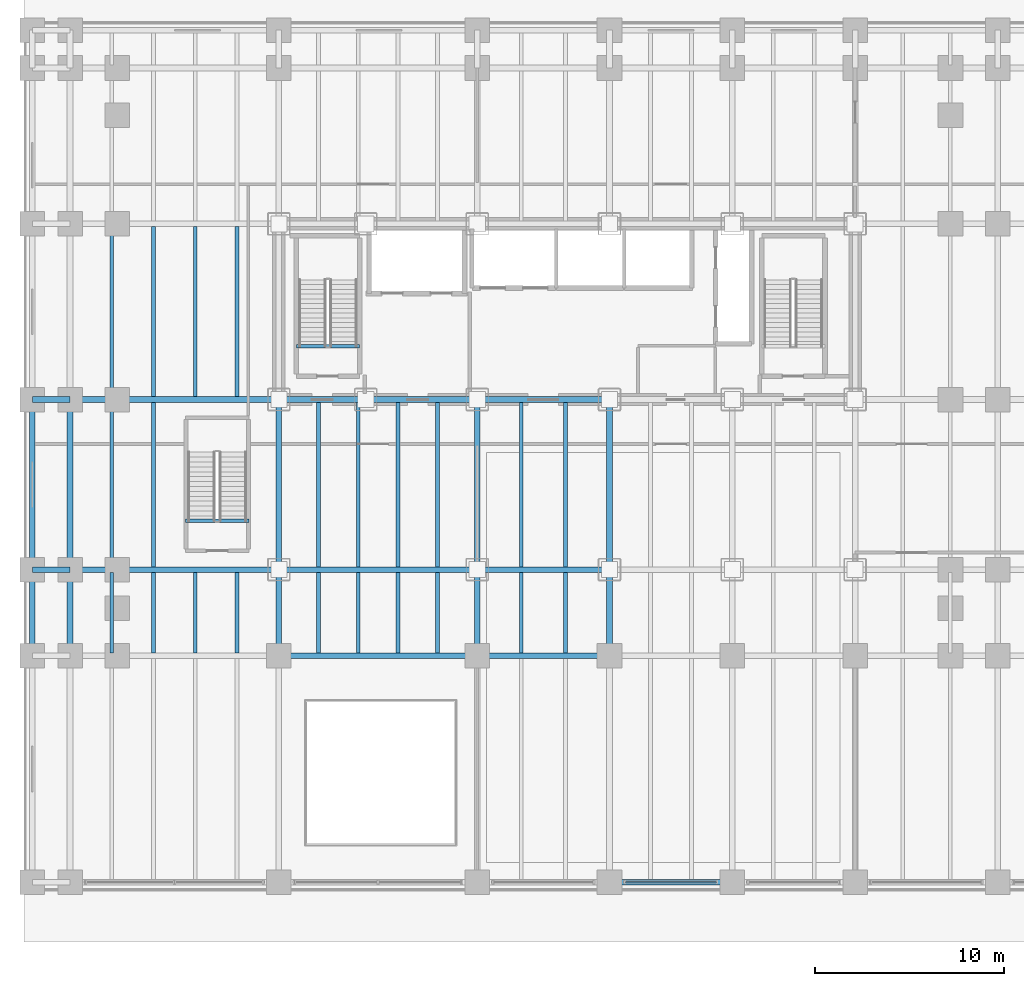
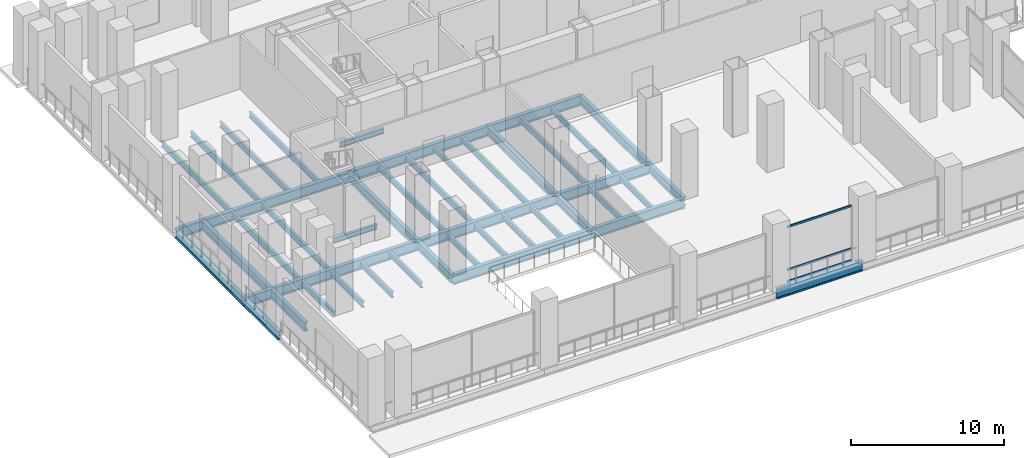
# One storey, part 7 of 32: 45 beams, 3 members, 1 element without a shape of its own.
"""IFC4 building model written with IfcOpenShell, lengths in metres."""

from ifc_helpers import new_model, si_unit, direction, frame, origin, origin_2d, place, context, subcontext, project, spatial, hollow_rectangle, i_section, extrude, material, material_profile, profile_set, type_object, element, aggregate, save


model = new_model("IFC4")

# Units and contexts
model_context = context("Model", 3, precision=1e-05, world=origin(), true_north=direction((0.0, 1.0)))
body_context = subcontext(model_context, "Body", "Model", "MODEL_VIEW")
ifc_project = project(units=[si_unit("LENGTHUNIT", "METRE"), si_unit("AREAUNIT", "SQUARE_METRE"), si_unit("VOLUMEUNIT", "CUBIC_METRE"), si_unit("PLANEANGLEUNIT", "RADIAN"), si_unit("MASSUNIT", "GRAM", prefix="KILO")], contexts=[model_context])

# Site, building, storey
site_placement = place(None, origin())
site = spatial("IfcSite", under=ifc_project, at=site_placement, CompositionType="ELEMENT")
building_placement = place(site_placement, origin())
building = spatial("IfcBuilding", under=site, at=building_placement, Name="Noeulbin Bourse Tower", CompositionType="ELEMENT")
storey_placement = place(building_placement, frame((0.0, 0.0, 5.800048828125)))
storey = spatial("IfcBuildingStorey", under=building, at=storey_placement, Name="L02", CompositionType="ELEMENT", Elevation=5.800048828125)

# Beams
ifc_material_1 = material(Name="Steel S355", Category="steel")
ifc_material_profile_1 = material_profile(ifc_material_1, i_section(OverallWidth=0.300048828125, OverallDepth=0.699951171875, WebThickness=0.012939453125, FlangeThickness=0.02392578125, FilletRadius=0.02392578125, at=origin_2d()), Name="H-700x300x13x24", Category="LoadBearing")
ifc_profile_set_1 = profile_set([ifc_material_profile_1], Name="Steel S355")
beam_type_1 = type_object("IfcBeamType", Name="BM-GRD-700", PredefinedType="USERDEFINED", material=ifc_profile_set_1)
beam_1_placement = place(storey_placement, frame((0.449951171875, 15.449951171875, -0.60009765625), z_axis=(0.0, 1.0, 0.0), x_axis=(-1.0, 0.0, 0.0)))
element("IfcBeam", 1, at=beam_1_placement, inside=storey, type_object=beam_type_1, Name="Podium Primary Girder NS L02-058", ObjectType="GIRDER", PredefinedType="USERDEFINED", context=body_context, shape_type="SweptSolid", body=[
    extrude(i_section(OverallWidth=0.300048828125, OverallDepth=0.699951171875, WebThickness=0.012939453125, FlangeThickness=0.02392578125, FilletRadius=0.02392578125, at=origin_2d()), origin(), (0.0, 0.0, 1.0), 4.550048828125),
])
beam_2_placement = place(storey_placement, frame((0.449951171875, 20.0, -0.60009765625), z_axis=(0.0, 1.0, 0.0), x_axis=(-1.0, 0.0, 0.0)))
element("IfcBeam", 2, at=beam_2_placement, inside=storey, type_object=beam_type_1, Name="Podium Primary Girder NS L02-059", ObjectType="GIRDER", PredefinedType="USERDEFINED", context=body_context, shape_type="SweptSolid", body=[
    extrude(i_section(OverallWidth=0.300048828125, OverallDepth=0.699951171875, WebThickness=0.012939453125, FlangeThickness=0.02392578125, FilletRadius=0.02392578125, at=origin_2d()), origin(), (0.0, 0.0, 1.0), 9.0),
])
beam_3_placement = place(storey_placement, frame((2.449951171875, 15.449951171875, -0.60009765625), z_axis=(0.0, 1.0, 0.0), x_axis=(-1.0, 0.0, 0.0)))
element("IfcBeam", 3, at=beam_3_placement, inside=storey, type_object=beam_type_1, Name="Podium Primary Girder NS L02-064", ObjectType="GIRDER", PredefinedType="USERDEFINED", context=body_context, shape_type="SweptSolid", body=[
    extrude(i_section(OverallWidth=0.300048828125, OverallDepth=0.699951171875, WebThickness=0.012939453125, FlangeThickness=0.02392578125, FilletRadius=0.02392578125, at=origin_2d()), origin(), (0.0, 0.0, 1.0), 4.550048828125),
])
beam_4_placement = place(storey_placement, frame((2.449951171875, 20.0, -0.60009765625), z_axis=(0.0, 1.0, 0.0), x_axis=(-1.0, 0.0, 0.0)))
element("IfcBeam", 4, at=beam_4_placement, inside=storey, type_object=beam_type_1, Name="Podium Primary Girder NS L02-065", ObjectType="GIRDER", PredefinedType="USERDEFINED", context=body_context, shape_type="SweptSolid", body=[
    extrude(i_section(OverallWidth=0.300048828125, OverallDepth=0.699951171875, WebThickness=0.012939453125, FlangeThickness=0.02392578125, FilletRadius=0.02392578125, at=origin_2d()), origin(), (0.0, 0.0, 1.0), 9.0),
])
beam_5_placement = place(storey_placement, frame((13.5, 15.449951171875, -0.60009765625), z_axis=(0.0, 1.0, 0.0), x_axis=(-1.0, 0.0, 0.0)))
element("IfcBeam", 5, at=beam_5_placement, inside=storey, type_object=beam_type_1, Name="Podium Primary Girder NS L02-070", ObjectType="GIRDER", PredefinedType="USERDEFINED", context=body_context, shape_type="SweptSolid", body=[
    extrude(i_section(OverallWidth=0.300048828125, OverallDepth=0.699951171875, WebThickness=0.012939453125, FlangeThickness=0.02392578125, FilletRadius=0.02392578125, at=origin_2d()), origin(), (0.0, 0.0, 1.0), 4.550048828125),
])
beam_6_placement = place(storey_placement, frame((13.5, 20.0, -0.60009765625), z_axis=(0.0, 1.0, 0.0), x_axis=(-1.0, 0.0, 0.0)))
element("IfcBeam", 6, at=beam_6_placement, inside=storey, type_object=beam_type_1, Name="Podium Primary Girder NS L02-071", ObjectType="GIRDER", PredefinedType="USERDEFINED", context=body_context, shape_type="SweptSolid", body=[
    extrude(i_section(OverallWidth=0.300048828125, OverallDepth=0.699951171875, WebThickness=0.012939453125, FlangeThickness=0.02392578125, FilletRadius=0.02392578125, at=origin_2d()), origin(), (0.0, 0.0, 1.0), 9.0),
])
beam_7_placement = place(storey_placement, frame((24.0, 15.449951171875, -0.60009765625), z_axis=(0.0, 1.0, 0.0), x_axis=(-1.0, 0.0, 0.0)))
element("IfcBeam", 7, at=beam_7_placement, inside=storey, type_object=beam_type_1, Name="Podium Primary Girder NS L02-076", ObjectType="GIRDER", PredefinedType="USERDEFINED", context=body_context, shape_type="SweptSolid", body=[
    extrude(i_section(OverallWidth=0.300048828125, OverallDepth=0.699951171875, WebThickness=0.012939453125, FlangeThickness=0.02392578125, FilletRadius=0.02392578125, at=origin_2d()), origin(), (0.0, 0.0, 1.0), 4.550048828125),
])
beam_8_placement = place(storey_placement, frame((24.0, 20.0, -0.60009765625), z_axis=(0.0, 1.0, 0.0), x_axis=(-1.0, 0.0, 0.0)))
element("IfcBeam", 8, at=beam_8_placement, inside=storey, type_object=beam_type_1, Name="Podium Primary Girder NS L02-077", ObjectType="GIRDER", PredefinedType="USERDEFINED", context=body_context, shape_type="SweptSolid", body=[
    extrude(i_section(OverallWidth=0.300048828125, OverallDepth=0.699951171875, WebThickness=0.012939453125, FlangeThickness=0.02392578125, FilletRadius=0.02392578125, at=origin_2d()), origin(), (0.0, 0.0, 1.0), 9.0),
])
beam_9_placement = place(storey_placement, frame((31.0, 15.449951171875, -0.60009765625), z_axis=(0.0, 1.0, 0.0), x_axis=(-1.0, 0.0, 0.0)))
element("IfcBeam", 9, at=beam_9_placement, inside=storey, type_object=beam_type_1, Name="Podium Primary Girder NS L02-081", ObjectType="GIRDER", PredefinedType="USERDEFINED", context=body_context, shape_type="SweptSolid", body=[
    extrude(i_section(OverallWidth=0.300048828125, OverallDepth=0.699951171875, WebThickness=0.012939453125, FlangeThickness=0.02392578125, FilletRadius=0.02392578125, at=origin_2d()), origin(), (0.0, 0.0, 1.0), 4.550048828125),
])
beam_10_placement = place(storey_placement, frame((31.0, 20.0, -0.60009765625), z_axis=(0.0, 1.0, 0.0), x_axis=(-1.0, 0.0, 0.0)))
element("IfcBeam", 10, at=beam_10_placement, inside=storey, type_object=beam_type_1, Name="Podium Primary Girder NS L02-082", ObjectType="GIRDER", PredefinedType="USERDEFINED", context=body_context, shape_type="SweptSolid", body=[
    extrude(i_section(OverallWidth=0.300048828125, OverallDepth=0.699951171875, WebThickness=0.012939453125, FlangeThickness=0.02392578125, FilletRadius=0.02392578125, at=origin_2d()), origin(), (0.0, 0.0, 1.0), 9.0),
])
ifc_material_profile_2 = material_profile(ifc_material_1, i_section(OverallWidth=0.300048828125, OverallDepth=0.800048828125, WebThickness=0.013916015625, FlangeThickness=0.02587890625, FilletRadius=0.02587890625, at=origin_2d()), Name="H-800x300x14x26", Category="LoadBearing")
ifc_profile_set_2 = profile_set([ifc_material_profile_2], Name="Steel S355")
beam_type_2 = type_object("IfcBeamType", Name="BM-GRD-800", PredefinedType="USERDEFINED", material=ifc_profile_set_2)
beam_11_placement = place(storey_placement, frame((31.0, 3.449951171875, -0.650146484375), z_axis=(1.0, 0.0, 0.0), x_axis=(0.0, 1.0, 0.0)))
element("IfcBeam", 11, at=beam_11_placement, inside=storey, type_object=beam_type_2, Name="Podium Primary Girder EW L02-005", ObjectType="GIRDER", PredefinedType="USERDEFINED", context=body_context, shape_type="SweptSolid", body=[
    extrude(i_section(OverallWidth=0.300048828125, OverallDepth=0.800048828125, WebThickness=0.013916015625, FlangeThickness=0.02587890625, FilletRadius=0.02587890625, at=origin_2d()), origin(), (0.0, 0.0, 1.0), 6.5),
])
beam_12_placement = place(storey_placement, frame((13.5, 15.449951171875, -0.650146484375), z_axis=(1.0, 0.0, 0.0), x_axis=(0.0, 1.0, 0.0)))
element("IfcBeam", 12, at=beam_12_placement, inside=storey, type_object=beam_type_2, Name="Podium Primary Girder EW L02-011", ObjectType="GIRDER", PredefinedType="USERDEFINED", context=body_context, shape_type="SweptSolid", body=[
    extrude(i_section(OverallWidth=0.300048828125, OverallDepth=0.800048828125, WebThickness=0.013916015625, FlangeThickness=0.02587890625, FilletRadius=0.02587890625, at=origin_2d()), origin(), (0.0, 0.0, 1.0), 10.5),
])
beam_13_placement = place(storey_placement, frame((24.0, 15.449951171875, -0.650146484375), z_axis=(1.0, 0.0, 0.0), x_axis=(0.0, 1.0, 0.0)))
element("IfcBeam", 13, at=beam_13_placement, inside=storey, type_object=beam_type_2, Name="Podium Primary Girder EW L02-012", ObjectType="GIRDER", PredefinedType="USERDEFINED", context=body_context, shape_type="SweptSolid", body=[
    extrude(i_section(OverallWidth=0.300048828125, OverallDepth=0.800048828125, WebThickness=0.013916015625, FlangeThickness=0.02587890625, FilletRadius=0.02587890625, at=origin_2d()), origin(), (0.0, 0.0, 1.0), 7.0),
])
beam_14_placement = place(storey_placement, frame((0.449951171875, 20.0, -0.650146484375), z_axis=(1.0, 0.0, 0.0), x_axis=(0.0, 1.0, 0.0)))
element("IfcBeam", 14, at=beam_14_placement, inside=storey, type_object=beam_type_2, Name="Podium Primary Girder EW L02-017", ObjectType="GIRDER", PredefinedType="USERDEFINED", context=body_context, shape_type="SweptSolid", body=[
    extrude(i_section(OverallWidth=0.300048828125, OverallDepth=0.800048828125, WebThickness=0.013916015625, FlangeThickness=0.02587890625, FilletRadius=0.02587890625, at=origin_2d()), origin(), (0.0, 0.0, 1.0), 2.0),
])
beam_15_placement = place(storey_placement, frame((2.449951171875, 20.0, -0.650146484375), z_axis=(1.0, 0.0, 0.0), x_axis=(0.0, 1.0, 0.0)))
element("IfcBeam", 15, at=beam_15_placement, inside=storey, type_object=beam_type_2, Name="Podium Primary Girder EW L02-018", ObjectType="GIRDER", PredefinedType="USERDEFINED", context=body_context, shape_type="SweptSolid", body=[
    extrude(i_section(OverallWidth=0.300048828125, OverallDepth=0.800048828125, WebThickness=0.013916015625, FlangeThickness=0.02587890625, FilletRadius=0.02587890625, at=origin_2d()), origin(), (0.0, 0.0, 1.0), 11.050048828125),
])
beam_16_placement = place(storey_placement, frame((13.5, 20.0, -0.650146484375), z_axis=(1.0, 0.0, 0.0), x_axis=(0.0, 1.0, 0.0)))
element("IfcBeam", 16, at=beam_16_placement, inside=storey, type_object=beam_type_2, Name="Podium Primary Girder EW L02-019", ObjectType="GIRDER", PredefinedType="USERDEFINED", context=body_context, shape_type="SweptSolid", body=[
    extrude(i_section(OverallWidth=0.300048828125, OverallDepth=0.800048828125, WebThickness=0.013916015625, FlangeThickness=0.02587890625, FilletRadius=0.02587890625, at=origin_2d()), origin(), (0.0, 0.0, 1.0), 10.5),
])
beam_17_placement = place(storey_placement, frame((24.0, 20.0, -0.650146484375), z_axis=(1.0, 0.0, 0.0), x_axis=(0.0, 1.0, 0.0)))
element("IfcBeam", 17, at=beam_17_placement, inside=storey, type_object=beam_type_2, Name="Podium Primary Girder EW L02-020", ObjectType="GIRDER", PredefinedType="USERDEFINED", context=body_context, shape_type="SweptSolid", body=[
    extrude(i_section(OverallWidth=0.300048828125, OverallDepth=0.800048828125, WebThickness=0.013916015625, FlangeThickness=0.02587890625, FilletRadius=0.02587890625, at=origin_2d()), origin(), (0.0, 0.0, 1.0), 7.0),
])
beam_18_placement = place(storey_placement, frame((0.449951171875, 29.0, -0.650146484375), z_axis=(1.0, 0.0, 0.0), x_axis=(0.0, 1.0, 0.0)))
element("IfcBeam", 18, at=beam_18_placement, inside=storey, type_object=beam_type_2, Name="Podium Primary Girder EW L02-025", ObjectType="GIRDER", PredefinedType="USERDEFINED", context=body_context, shape_type="SweptSolid", body=[
    extrude(i_section(OverallWidth=0.300048828125, OverallDepth=0.800048828125, WebThickness=0.013916015625, FlangeThickness=0.02587890625, FilletRadius=0.02587890625, at=origin_2d()), origin(), (0.0, 0.0, 1.0), 2.0),
])
beam_19_placement = place(storey_placement, frame((2.449951171875, 29.0, -0.650146484375), z_axis=(1.0, 0.0, 0.0), x_axis=(0.0, 1.0, 0.0)))
element("IfcBeam", 19, at=beam_19_placement, inside=storey, type_object=beam_type_2, Name="Podium Primary Girder EW L02-026", ObjectType="GIRDER", PredefinedType="USERDEFINED", context=body_context, shape_type="SweptSolid", body=[
    extrude(i_section(OverallWidth=0.300048828125, OverallDepth=0.800048828125, WebThickness=0.013916015625, FlangeThickness=0.02587890625, FilletRadius=0.02587890625, at=origin_2d()), origin(), (0.0, 0.0, 1.0), 11.050048828125),
])
beam_20_placement = place(storey_placement, frame((13.5, 29.0, -0.650146484375), z_axis=(1.0, 0.0, 0.0), x_axis=(0.0, 1.0, 0.0)))
element("IfcBeam", 20, at=beam_20_placement, inside=storey, type_object=beam_type_2, Name="Podium Primary Girder EW L02-027", ObjectType="GIRDER", PredefinedType="USERDEFINED", context=body_context, shape_type="SweptSolid", body=[
    extrude(i_section(OverallWidth=0.300048828125, OverallDepth=0.800048828125, WebThickness=0.013916015625, FlangeThickness=0.02587890625, FilletRadius=0.02587890625, at=origin_2d()), origin(), (0.0, 0.0, 1.0), 10.5),
])
beam_21_placement = place(storey_placement, frame((24.0, 29.0, -0.650146484375), z_axis=(1.0, 0.0, 0.0), x_axis=(0.0, 1.0, 0.0)))
element("IfcBeam", 21, at=beam_21_placement, inside=storey, type_object=beam_type_2, Name="Podium Primary Girder EW L02-028", ObjectType="GIRDER", PredefinedType="USERDEFINED", context=body_context, shape_type="SweptSolid", body=[
    extrude(i_section(OverallWidth=0.300048828125, OverallDepth=0.800048828125, WebThickness=0.013916015625, FlangeThickness=0.02587890625, FilletRadius=0.02587890625, at=origin_2d()), origin(), (0.0, 0.0, 1.0), 7.0),
])
ifc_material_profile_3 = material_profile(ifc_material_1, i_section(OverallWidth=0.199951171875, OverallDepth=0.39990234375, WebThickness=0.008056640625, FlangeThickness=0.012939453125, FilletRadius=0.01611328125, at=origin_2d()), Name="H-400x200x8x13", Category="LoadBearing")
ifc_profile_set_3 = profile_set([ifc_material_profile_3], Name="Steel S355")
beam_type_3 = type_object("IfcBeamType", Name="BM-SEC-400", PredefinedType="BEAM", material=ifc_profile_set_3)
beam_22_placement = place(storey_placement, frame((14.429931640625, 31.820068359375, -0.199951171875), z_axis=(1.0, 0.0, 0.0), x_axis=(0.0, 1.0, 0.0)))
element("IfcBeam", 22, at=beam_22_placement, inside=storey, type_object=beam_type_3, Name="Stair Threshold Trimmer Beam ST1-L02", PredefinedType="BEAM", context=body_context, shape_type="SweptSolid", body=[
    extrude(i_section(OverallWidth=0.199951171875, OverallDepth=0.39990234375, WebThickness=0.008056640625, FlangeThickness=0.012939453125, FilletRadius=0.01611328125, at=origin_2d()), origin(), (0.0, 0.0, 1.0), 3.340087890625),
])
beam_23_placement = place(storey_placement, frame((8.56005859375, 22.590087890625, -0.199951171875), z_axis=(1.0, 0.0, 0.0), x_axis=(0.0, 1.0, 0.0)))
element("IfcBeam", 23, at=beam_23_placement, inside=storey, type_object=beam_type_3, Name="Stair Threshold Trimmer Beam STP1-L02", PredefinedType="BEAM", context=body_context, shape_type="SweptSolid", body=[
    extrude(i_section(OverallWidth=0.199951171875, OverallDepth=0.39990234375, WebThickness=0.008056640625, FlangeThickness=0.012939453125, FilletRadius=0.01611328125, at=origin_2d()), origin(), (0.0, 0.0, 1.0), 3.35986328125),
])
ifc_material_profile_4 = material_profile(ifc_material_1, i_section(OverallWidth=0.199951171875, OverallDepth=0.449951171875, WebThickness=0.009033203125, FlangeThickness=0.013916015625, FilletRadius=0.01806640625, at=origin_2d()), Name="H-450x200x9x14", Category="LoadBearing")
ifc_profile_set_4 = profile_set([ifc_material_profile_4], Name="Steel S355")
beam_type_4 = type_object("IfcBeamType", Name="BM-SEC-450", PredefinedType="BEAM", material=ifc_profile_set_4)
beam_24_placement = place(storey_placement, frame((4.659912109375, 15.60009765625, -0.47509765625), z_axis=(0.0, 1.0, 0.0), x_axis=(-1.0, 0.0, 0.0)))
element("IfcBeam", 24, at=beam_24_placement, inside=storey, type_object=beam_type_4, Name="Podium Secondary Beam L02-002", PredefinedType="BEAM", context=body_context, shape_type="SweptSolid", body=[
    extrude(i_section(OverallWidth=0.199951171875, OverallDepth=0.449951171875, WebThickness=0.009033203125, FlangeThickness=0.013916015625, FilletRadius=0.01806640625, at=origin_2d()), origin(), (0.0, 0.0, 1.0), 4.25),
])
beam_25_placement = place(storey_placement, frame((4.659912109375, 20.14990234375, -0.47509765625), z_axis=(0.0, 1.0, 0.0), x_axis=(-1.0, 0.0, 0.0)))
element("IfcBeam", 25, at=beam_25_placement, inside=storey, type_object=beam_type_4, Name="Podium Secondary Beam L02-003", PredefinedType="BEAM", context=body_context, shape_type="SweptSolid", body=[
    extrude(i_section(OverallWidth=0.199951171875, OverallDepth=0.449951171875, WebThickness=0.009033203125, FlangeThickness=0.013916015625, FilletRadius=0.01806640625, at=origin_2d()), origin(), (0.0, 0.0, 1.0), 8.7001953125),
])
beam_26_placement = place(storey_placement, frame((4.659912109375, 29.14990234375, -0.47509765625), z_axis=(0.0, 1.0, 0.0), x_axis=(-1.0, 0.0, 0.0)))
element("IfcBeam", 26, at=beam_26_placement, inside=storey, type_object=beam_type_4, Name="Podium Secondary Beam L02-004", PredefinedType="BEAM", context=body_context, shape_type="SweptSolid", body=[
    extrude(i_section(OverallWidth=0.199951171875, OverallDepth=0.449951171875, WebThickness=0.009033203125, FlangeThickness=0.013916015625, FilletRadius=0.01806640625, at=origin_2d()), origin(), (0.0, 0.0, 1.0), 9.0),
])
beam_27_placement = place(storey_placement, frame((6.8701171875, 15.60009765625, -0.47509765625), z_axis=(0.0, 1.0, 0.0), x_axis=(-1.0, 0.0, 0.0)))
element("IfcBeam", 27, at=beam_27_placement, inside=storey, type_object=beam_type_4, Name="Podium Secondary Beam L02-008", PredefinedType="BEAM", context=body_context, shape_type="SweptSolid", body=[
    extrude(i_section(OverallWidth=0.199951171875, OverallDepth=0.449951171875, WebThickness=0.009033203125, FlangeThickness=0.013916015625, FilletRadius=0.01806640625, at=origin_2d()), origin(), (0.0, 0.0, 1.0), 4.25),
])
beam_28_placement = place(storey_placement, frame((6.8701171875, 20.14990234375, -0.47509765625), z_axis=(0.0, 1.0, 0.0), x_axis=(-1.0, 0.0, 0.0)))
element("IfcBeam", 28, at=beam_28_placement, inside=storey, type_object=beam_type_4, Name="Podium Secondary Beam L02-009", PredefinedType="BEAM", context=body_context, shape_type="SweptSolid", body=[
    extrude(i_section(OverallWidth=0.199951171875, OverallDepth=0.449951171875, WebThickness=0.009033203125, FlangeThickness=0.013916015625, FilletRadius=0.01806640625, at=origin_2d()), origin(), (0.0, 0.0, 1.0), 8.7001953125),
])
beam_29_placement = place(storey_placement, frame((6.8701171875, 29.14990234375, -0.47509765625), z_axis=(0.0, 1.0, 0.0), x_axis=(-1.0, 0.0, 0.0)))
element("IfcBeam", 29, at=beam_29_placement, inside=storey, type_object=beam_type_4, Name="Podium Secondary Beam L02-010", PredefinedType="BEAM", context=body_context, shape_type="SweptSolid", body=[
    extrude(i_section(OverallWidth=0.199951171875, OverallDepth=0.449951171875, WebThickness=0.009033203125, FlangeThickness=0.013916015625, FilletRadius=0.01806640625, at=origin_2d()), origin(), (0.0, 0.0, 1.0), 9.0),
])
beam_30_placement = place(storey_placement, frame((9.080078125, 15.60009765625, -0.47509765625), z_axis=(0.0, 1.0, 0.0), x_axis=(-1.0, 0.0, 0.0)))
element("IfcBeam", 30, at=beam_30_placement, inside=storey, type_object=beam_type_4, Name="Podium Secondary Beam L02-014", PredefinedType="BEAM", context=body_context, shape_type="SweptSolid", body=[
    extrude(i_section(OverallWidth=0.199951171875, OverallDepth=0.449951171875, WebThickness=0.009033203125, FlangeThickness=0.013916015625, FilletRadius=0.01806640625, at=origin_2d()), origin(), (0.0, 0.0, 1.0), 4.25),
])
beam_31_placement = place(storey_placement, frame((9.080078125, 29.14990234375, -0.47509765625), z_axis=(0.0, 1.0, 0.0), x_axis=(-1.0, 0.0, 0.0)))
element("IfcBeam", 31, at=beam_31_placement, inside=storey, type_object=beam_type_4, Name="Podium Secondary Beam L02-015", PredefinedType="BEAM", context=body_context, shape_type="SweptSolid", body=[
    extrude(i_section(OverallWidth=0.199951171875, OverallDepth=0.449951171875, WebThickness=0.009033203125, FlangeThickness=0.013916015625, FilletRadius=0.01806640625, at=origin_2d()), origin(), (0.0, 0.0, 1.0), 9.0),
])
beam_32_placement = place(storey_placement, frame((11.2900390625, 15.60009765625, -0.47509765625), z_axis=(0.0, 1.0, 0.0), x_axis=(-1.0, 0.0, 0.0)))
element("IfcBeam", 32, at=beam_32_placement, inside=storey, type_object=beam_type_4, Name="Podium Secondary Beam L02-019", PredefinedType="BEAM", context=body_context, shape_type="SweptSolid", body=[
    extrude(i_section(OverallWidth=0.199951171875, OverallDepth=0.449951171875, WebThickness=0.009033203125, FlangeThickness=0.013916015625, FilletRadius=0.01806640625, at=origin_2d()), origin(), (0.0, 0.0, 1.0), 4.25),
])
beam_33_placement = place(storey_placement, frame((11.2900390625, 29.14990234375, -0.47509765625), z_axis=(0.0, 1.0, 0.0), x_axis=(-1.0, 0.0, 0.0)))
element("IfcBeam", 33, at=beam_33_placement, inside=storey, type_object=beam_type_4, Name="Podium Secondary Beam L02-020", PredefinedType="BEAM", context=body_context, shape_type="SweptSolid", body=[
    extrude(i_section(OverallWidth=0.199951171875, OverallDepth=0.449951171875, WebThickness=0.009033203125, FlangeThickness=0.013916015625, FilletRadius=0.01806640625, at=origin_2d()), origin(), (0.0, 0.0, 1.0), 9.0),
])
beam_34_placement = place(storey_placement, frame((15.60009765625, 15.60009765625, -0.47509765625), z_axis=(0.0, 1.0, 0.0), x_axis=(-1.0, 0.0, 0.0)))
element("IfcBeam", 34, at=beam_34_placement, inside=storey, type_object=beam_type_4, Name="Podium Secondary Beam L02-023", PredefinedType="BEAM", context=body_context, shape_type="SweptSolid", body=[
    extrude(i_section(OverallWidth=0.199951171875, OverallDepth=0.449951171875, WebThickness=0.009033203125, FlangeThickness=0.013916015625, FilletRadius=0.01806640625, at=origin_2d()), origin(), (0.0, 0.0, 1.0), 4.25),
])
beam_35_placement = place(storey_placement, frame((15.60009765625, 20.14990234375, -0.47509765625), z_axis=(0.0, 1.0, 0.0), x_axis=(-1.0, 0.0, 0.0)))
element("IfcBeam", 35, at=beam_35_placement, inside=storey, type_object=beam_type_4, Name="Podium Secondary Beam L02-024", PredefinedType="BEAM", context=body_context, shape_type="SweptSolid", body=[
    extrude(i_section(OverallWidth=0.199951171875, OverallDepth=0.449951171875, WebThickness=0.009033203125, FlangeThickness=0.013916015625, FilletRadius=0.01806640625, at=origin_2d()), origin(), (0.0, 0.0, 1.0), 8.7001953125),
])
beam_36_placement = place(storey_placement, frame((17.699951171875, 15.60009765625, -0.47509765625), z_axis=(0.0, 1.0, 0.0), x_axis=(-1.0, 0.0, 0.0)))
element("IfcBeam", 36, at=beam_36_placement, inside=storey, type_object=beam_type_4, Name="Podium Secondary Beam L02-027", PredefinedType="BEAM", context=body_context, shape_type="SweptSolid", body=[
    extrude(i_section(OverallWidth=0.199951171875, OverallDepth=0.449951171875, WebThickness=0.009033203125, FlangeThickness=0.013916015625, FilletRadius=0.01806640625, at=origin_2d()), origin(), (0.0, 0.0, 1.0), 4.25),
])
beam_37_placement = place(storey_placement, frame((17.699951171875, 20.14990234375, -0.47509765625), z_axis=(0.0, 1.0, 0.0), x_axis=(-1.0, 0.0, 0.0)))
element("IfcBeam", 37, at=beam_37_placement, inside=storey, type_object=beam_type_4, Name="Podium Secondary Beam L02-028", PredefinedType="BEAM", context=body_context, shape_type="SweptSolid", body=[
    extrude(i_section(OverallWidth=0.199951171875, OverallDepth=0.449951171875, WebThickness=0.009033203125, FlangeThickness=0.013916015625, FilletRadius=0.01806640625, at=origin_2d()), origin(), (0.0, 0.0, 1.0), 8.7001953125),
])
beam_38_placement = place(storey_placement, frame((19.800048828125, 15.60009765625, -0.47509765625), z_axis=(0.0, 1.0, 0.0), x_axis=(-1.0, 0.0, 0.0)))
element("IfcBeam", 38, at=beam_38_placement, inside=storey, type_object=beam_type_4, Name="Podium Secondary Beam L02-031", PredefinedType="BEAM", context=body_context, shape_type="SweptSolid", body=[
    extrude(i_section(OverallWidth=0.199951171875, OverallDepth=0.449951171875, WebThickness=0.009033203125, FlangeThickness=0.013916015625, FilletRadius=0.01806640625, at=origin_2d()), origin(), (0.0, 0.0, 1.0), 4.25),
])
beam_39_placement = place(storey_placement, frame((19.800048828125, 20.14990234375, -0.47509765625), z_axis=(0.0, 1.0, 0.0), x_axis=(-1.0, 0.0, 0.0)))
element("IfcBeam", 39, at=beam_39_placement, inside=storey, type_object=beam_type_4, Name="Podium Secondary Beam L02-032", PredefinedType="BEAM", context=body_context, shape_type="SweptSolid", body=[
    extrude(i_section(OverallWidth=0.199951171875, OverallDepth=0.449951171875, WebThickness=0.009033203125, FlangeThickness=0.013916015625, FilletRadius=0.01806640625, at=origin_2d()), origin(), (0.0, 0.0, 1.0), 8.7001953125),
])
beam_40_placement = place(storey_placement, frame((21.89990234375, 15.60009765625, -0.47509765625), z_axis=(0.0, 1.0, 0.0), x_axis=(-1.0, 0.0, 0.0)))
element("IfcBeam", 40, at=beam_40_placement, inside=storey, type_object=beam_type_4, Name="Podium Secondary Beam L02-035", PredefinedType="BEAM", context=body_context, shape_type="SweptSolid", body=[
    extrude(i_section(OverallWidth=0.199951171875, OverallDepth=0.449951171875, WebThickness=0.009033203125, FlangeThickness=0.013916015625, FilletRadius=0.01806640625, at=origin_2d()), origin(), (0.0, 0.0, 1.0), 4.25),
])
beam_41_placement = place(storey_placement, frame((21.89990234375, 20.14990234375, -0.47509765625), z_axis=(0.0, 1.0, 0.0), x_axis=(-1.0, 0.0, 0.0)))
element("IfcBeam", 41, at=beam_41_placement, inside=storey, type_object=beam_type_4, Name="Podium Secondary Beam L02-036", PredefinedType="BEAM", context=body_context, shape_type="SweptSolid", body=[
    extrude(i_section(OverallWidth=0.199951171875, OverallDepth=0.449951171875, WebThickness=0.009033203125, FlangeThickness=0.013916015625, FilletRadius=0.01806640625, at=origin_2d()), origin(), (0.0, 0.0, 1.0), 8.7001953125),
])
beam_42_placement = place(storey_placement, frame((26.333251953125, 15.60009765625, -0.47509765625), z_axis=(0.0, 1.0, 0.0), x_axis=(-1.0, 0.0, 0.0)))
element("IfcBeam", 42, at=beam_42_placement, inside=storey, type_object=beam_type_4, Name="Podium Secondary Beam L02-040", PredefinedType="BEAM", context=body_context, shape_type="SweptSolid", body=[
    extrude(i_section(OverallWidth=0.199951171875, OverallDepth=0.449951171875, WebThickness=0.009033203125, FlangeThickness=0.013916015625, FilletRadius=0.01806640625, at=origin_2d()), origin(), (0.0, 0.0, 1.0), 4.25),
])
beam_43_placement = place(storey_placement, frame((26.333251953125, 20.14990234375, -0.47509765625), z_axis=(0.0, 1.0, 0.0), x_axis=(-1.0, 0.0, 0.0)))
element("IfcBeam", 43, at=beam_43_placement, inside=storey, type_object=beam_type_4, Name="Podium Secondary Beam L02-041", PredefinedType="BEAM", context=body_context, shape_type="SweptSolid", body=[
    extrude(i_section(OverallWidth=0.199951171875, OverallDepth=0.449951171875, WebThickness=0.009033203125, FlangeThickness=0.013916015625, FilletRadius=0.01806640625, at=origin_2d()), origin(), (0.0, 0.0, 1.0), 8.7001953125),
])
beam_44_placement = place(storey_placement, frame((28.666748046875, 15.60009765625, -0.47509765625), z_axis=(0.0, 1.0, 0.0), x_axis=(-1.0, 0.0, 0.0)))
element("IfcBeam", 44, at=beam_44_placement, inside=storey, type_object=beam_type_4, Name="Podium Secondary Beam L02-045", PredefinedType="BEAM", context=body_context, shape_type="SweptSolid", body=[
    extrude(i_section(OverallWidth=0.199951171875, OverallDepth=0.449951171875, WebThickness=0.009033203125, FlangeThickness=0.013916015625, FilletRadius=0.01806640625, at=origin_2d()), origin(), (0.0, 0.0, 1.0), 4.25),
])
beam_45_placement = place(storey_placement, frame((28.666748046875, 20.14990234375, -0.47509765625), z_axis=(0.0, 1.0, 0.0), x_axis=(-1.0, 0.0, 0.0)))
element("IfcBeam", 45, at=beam_45_placement, inside=storey, type_object=beam_type_4, Name="Podium Secondary Beam L02-046", PredefinedType="BEAM", context=body_context, shape_type="SweptSolid", body=[
    extrude(i_section(OverallWidth=0.199951171875, OverallDepth=0.449951171875, WebThickness=0.009033203125, FlangeThickness=0.013916015625, FilletRadius=0.01806640625, at=origin_2d()), origin(), (0.0, 0.0, 1.0), 8.7001953125),
])

# Curtain wall, members
ifc_material_2 = material(Name="Laminated Clear Low-E Glass", Category="glass")
curtain_wall_type = type_object("IfcCurtainWallType", Name="CW-SYS-1", PredefinedType="NOTDEFINED", material=ifc_material_2)
curtain_wall_placement = place(storey_placement, origin())
curtain_wall = element("IfcCurtainWall", 46, at=curtain_wall_placement, inside=storey, type_object=curtain_wall_type, Name="Unitised Curtain Wall CW-L02-POD-S-S4", PredefinedType="NOTDEFINED")
ifc_material_3 = material(Name="Anodised Aluminium 6063-T6", Category="aluminium")
ifc_material_profile_5 = material_profile(ifc_material_3, hollow_rectangle(XDim=0.074951171875, YDim=0.159912109375, WallThickness=0.0048828125, InnerFilletRadius=0.00244140625, OuterFilletRadius=0.0048828125, at=origin_2d()), Name="ALU-TRAN-75x160x5", Category="LoadBearing")
ifc_profile_set_5 = profile_set([ifc_material_profile_5], Name="Anodised Aluminium 6063-T6")
member_type = type_object("IfcMemberType", Name="CW-SYS-1-TRN", PredefinedType="USERDEFINED", material=ifc_profile_set_5)
member_1_placement = place(storey_placement, frame((31.8349609375, 3.449951171875, 0.010009765625), z_axis=(1.0, 0.0, 0.0), x_axis=(0.0, 1.0, 0.0)))
member_1 = element("IfcMember", 47, at=member_1_placement, type_object=member_type, Name="Curtain Wall Transom CW-L02-POD-S-S4-T00", ObjectType="TRANSOM", PredefinedType="USERDEFINED", context=body_context, shape_type="SweptSolid", body=[
    extrude(hollow_rectangle(XDim=0.074951171875, YDim=0.159912109375, WallThickness=0.0048828125, InnerFilletRadius=0.00244140625, OuterFilletRadius=0.0048828125, at=origin_2d()), origin(), (0.0, 0.0, 1.0), 4.830078125),
])
member_2_placement = place(storey_placement, frame((31.8349609375, 3.449951171875, 0.949951171875), z_axis=(1.0, 0.0, 0.0), x_axis=(0.0, 1.0, 0.0)))
member_2 = element("IfcMember", 48, at=member_2_placement, type_object=member_type, Name="Curtain Wall Transom CW-L02-POD-S-S4-T01", ObjectType="TRANSOM", PredefinedType="USERDEFINED", context=body_context, shape_type="SweptSolid", body=[
    extrude(hollow_rectangle(XDim=0.074951171875, YDim=0.159912109375, WallThickness=0.0048828125, InnerFilletRadius=0.00244140625, OuterFilletRadius=0.0048828125, at=origin_2d()), origin(), (0.0, 0.0, 1.0), 4.830078125),
])
member_3_placement = place(storey_placement, frame((31.8349609375, 3.449951171875, 4.35986328125), z_axis=(1.0, 0.0, 0.0), x_axis=(0.0, 1.0, 0.0)))
member_3 = element("IfcMember", 49, at=member_3_placement, type_object=member_type, Name="Curtain Wall Transom CW-L02-POD-S-S4-T02", ObjectType="TRANSOM", PredefinedType="USERDEFINED", context=body_context, shape_type="SweptSolid", body=[
    extrude(hollow_rectangle(XDim=0.074951171875, YDim=0.159912109375, WallThickness=0.0048828125, InnerFilletRadius=0.00244140625, OuterFilletRadius=0.0048828125, at=origin_2d()), origin(), (0.0, 0.0, 1.0), 4.830078125),
])
aggregate(curtain_wall, [member_1, member_2, member_3])

save(model, "model.ifc")
